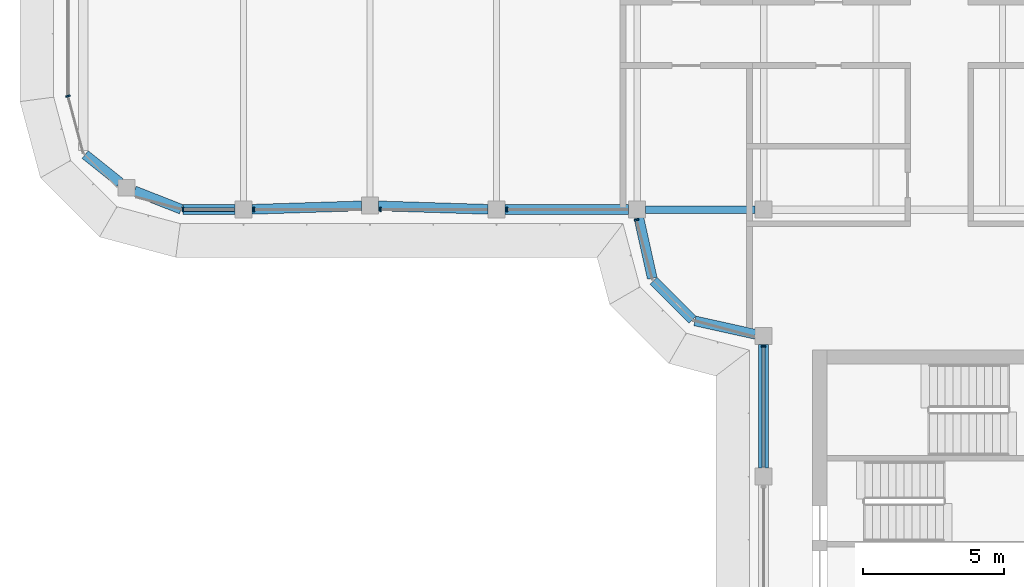
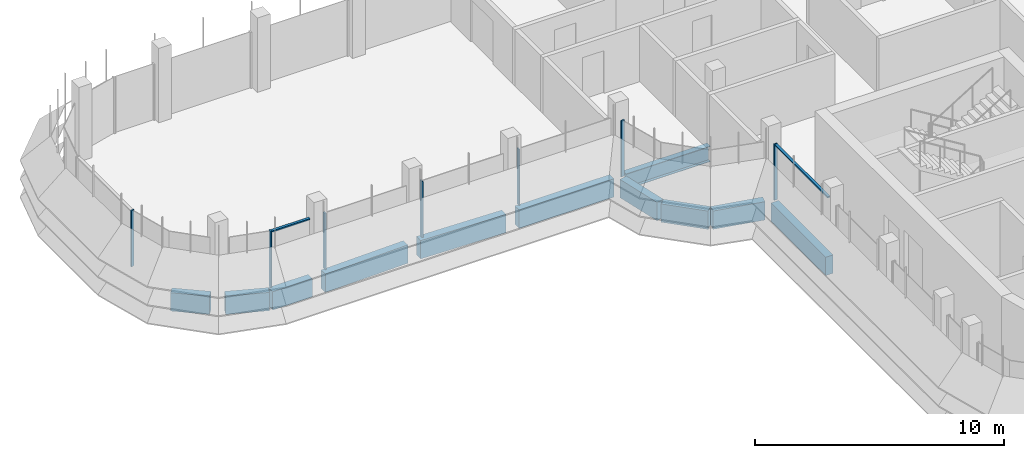
# One storey, part 3 of 20: 11 beams, 9 members, 4 elements without a shape of their own.
"""IFC4 building model written with IfcOpenShell, lengths in metres."""

from ifc_helpers import new_model, si_unit, direction, frame, origin, origin_2d, place, context, subcontext, project, spatial, polyline, rectangle, i_section, outline, extrude, source, transform, mapped, material, material_profile, profile_set, type_object, element, aggregate, save


model = new_model("IFC4")

# Units and contexts
model_context = context("Model", 3, precision=1e-05, world=origin(), true_north=direction((0.0, 1.0)))
body_context = subcontext(model_context, "Body", "Model", "MODEL_VIEW")
ifc_project = project(units=[si_unit("LENGTHUNIT", "METRE"), si_unit("AREAUNIT", "SQUARE_METRE"), si_unit("VOLUMEUNIT", "CUBIC_METRE"), si_unit("PLANEANGLEUNIT", "RADIAN"), si_unit("MASSUNIT", "GRAM", prefix="KILO")], contexts=[model_context])

# Site, building, storey
site_placement = place(None, origin())
site = spatial("IfcSite", under=ifc_project, at=site_placement, CompositionType="ELEMENT")
building_placement = place(site_placement, origin())
building = spatial("IfcBuilding", under=site, at=building_placement, Name="Zarbagh Exchange Tower", CompositionType="ELEMENT")
storey_placement = place(building_placement, frame((0.0, 0.0, 249.800048828125)))
storey = spatial("IfcBuildingStorey", under=building, at=storey_placement, Name="L61", CompositionType="ELEMENT", Elevation=249.800048828125)

# Beams
ifc_material_1 = material(Name="Steel ASTM A992 Gr 50", Category="steel")
ifc_material_profile_1 = material_profile(ifc_material_1, i_section(OverallWidth=0.2666015625, OverallDepth=0.7568359375, WebThickness=0.013916015625, FlangeThickness=0.019287109375, at=origin_2d()), Name="W30X108")
ifc_profile_set_1 = profile_set([ifc_material_profile_1], Name="Steel ASTM A992 Gr 50")
beam_type_1 = type_object("IfcBeamType", Name="Floor girder W30X108", PredefinedType="BEAM", material=ifc_profile_set_1)
beam_1_placement = place(storey_placement, frame((-10.449951171875, -6.25, -0.528564453125), z_axis=(1.0, 0.0, 0.0), x_axis=(0.0, 1.0, 0.0)))
element("IfcBeam", 1, at=beam_1_placement, inside=storey, type_object=beam_type_1, Name="Steel girder", PredefinedType="BEAM", context=body_context, shape_type="SweptSolid", body=[
    extrude(i_section(OverallWidth=0.2666015625, OverallDepth=0.7568359375, WebThickness=0.013916015625, FlangeThickness=0.019287109375, at=origin_2d()), origin(), (0.0, 0.0, 1.0), 3.89990234375),
])
ifc_material_2 = material(Name="Concrete C40/50", Category="concrete")
ifc_material_profile_2 = material_profile(ifc_material_2, rectangle(XDim=0.35009765625, YDim=0.89990234375, at=origin_2d()), Name="RC spandrel beam 350 x 900 C40/50")
ifc_profile_set_2 = profile_set([ifc_material_profile_2], Name="Concrete C40/50")
beam_type_2 = type_object("IfcBeamType", Name="RC spandrel beam 350 x 900 C40/50", PredefinedType="SPANDREL", material=ifc_profile_set_2)
beam_2_placement = place(storey_placement, frame((-6.25, -15.449951171875, -0.60009765625), z_axis=(0.0, 1.0, 0.0), x_axis=(-1.0, 0.0, 0.0)))
element("IfcBeam", 2, at=beam_2_placement, inside=storey, type_object=beam_type_2, Name="RC spandrel beam", PredefinedType="SPANDREL", context=body_context, shape_type="SweptSolid", body=[
    extrude(rectangle(XDim=0.35009765625, YDim=0.89990234375, at=origin_2d()), origin(), (0.0, 0.0, 1.0), 4.39990234375),
])
beam_3_placement = place(storey_placement, frame((-6.54296875, -10.685302734375, -0.60009765625), z_axis=(-0.976387662047, 0.216025770228, 0.0), x_axis=(-0.216025770228, -0.976387662047, 0.0)))
element("IfcBeam", 3, at=beam_3_placement, inside=storey, type_object=beam_type_2, Name="RC spandrel beam", PredefinedType="SPANDREL", context=body_context, shape_type="SweptSolid", body=[
    extrude(rectangle(XDim=0.35009765625, YDim=0.89990234375, at=origin_2d()), origin(), (0.0, 0.0, 1.0), 2.200439453125),
])
beam_4_placement = place(storey_placement, frame((-8.77734375, -10.16259765625, -0.60009765625), z_axis=(-0.707106781187, 0.707106781187, 0.0), x_axis=(-0.707106781187, -0.707106781187, 0.0)))
element("IfcBeam", 4, at=beam_4_placement, inside=storey, type_object=beam_type_2, Name="RC spandrel beam", PredefinedType="SPANDREL", context=body_context, shape_type="SweptSolid", body=[
    extrude(rectangle(XDim=0.35009765625, YDim=0.89990234375, at=origin_2d()), origin(), (0.0, 0.0, 1.0), 1.958984375),
])
beam_5_placement = place(storey_placement, frame((-10.2099609375, -8.69140625, -0.60009765625), z_axis=(-0.216025770228, 0.976387662047, 0.0), x_axis=(-0.976387662047, -0.216025770228, 0.0)))
element("IfcBeam", 5, at=beam_5_placement, inside=storey, type_object=beam_type_2, Name="RC spandrel beam", PredefinedType="SPANDREL", context=body_context, shape_type="SweptSolid", body=[
    extrude(rectangle(XDim=0.35009765625, YDim=0.89990234375, at=origin_2d()), origin(), (0.0, 0.0, 1.0), 2.200439453125),
])
beam_6_placement = place(storey_placement, frame((-11.050048828125, -6.25, -0.60009765625), z_axis=(-1.0, 0.0, 0.0), x_axis=(0.0, -1.0, 0.0)))
element("IfcBeam", 6, at=beam_6_placement, inside=storey, type_object=beam_type_2, Name="RC spandrel beam", PredefinedType="SPANDREL", context=body_context, shape_type="SweptSolid", body=[
    extrude(rectangle(XDim=0.35009765625, YDim=0.89990234375, at=origin_2d()), origin(), (0.0, 0.0, 1.0), 4.39990234375),
])
for number, where, z_axis, x_axis, name in (
    (7, (-16.0498046875, -6.24072265625, -0.60009765625), (-0.999516460907, 0.031094121249, 0.0), (-0.031094121249, -0.999516460907, 0.0), "RC spandrel beam"),
    (8, (-20.5498046875, -6.119384765625, -0.60009765625), (-0.999516460907, -0.031094121249, 0.0), (0.031094121249, -0.999516460907, 0.0), "RC spandrel beam"),
):
    element("IfcBeam", number, at=place(storey_placement, frame(where, z_axis=z_axis, x_axis=x_axis)), inside=storey, type_object=beam_type_2, Name=name, PredefinedType="SPANDREL", context=body_context, shape_type="SweptSolid", body=[
        extrude(rectangle(XDim=0.35009765625, YDim=0.89990234375, at=origin_2d()), origin(), (0.0, 0.0, 1.0), 3.90234375),
    ])
beam_7_placement = place(storey_placement, frame((-25.050048828125, -6.25, -0.60009765625), z_axis=(-1.0, 0.0, 0.0), x_axis=(0.0, -1.0, 0.0)))
element("IfcBeam", 9, at=beam_7_placement, inside=storey, type_object=beam_type_2, Name="RC spandrel beam", PredefinedType="SPANDREL", context=body_context, shape_type="SweptSolid", body=[
    extrude(rectangle(XDim=0.35009765625, YDim=0.89990234375, at=origin_2d()), origin(), (0.0, 0.0, 1.0), 1.850830078125),
])
beam_8_placement = place(storey_placement, frame((-26.965087890625, -6.23779296875, -0.60009765625), z_axis=(-0.930859366381, 0.365377667655, 0.0), x_axis=(-0.365377667655, -0.930859366381, 0.0)))
element("IfcBeam", 10, at=beam_8_placement, inside=storey, type_object=beam_type_2, Name="RC spandrel beam", PredefinedType="SPANDREL", context=body_context, shape_type="SweptSolid", body=[
    extrude(rectangle(XDim=0.35009765625, YDim=0.89990234375, at=origin_2d()), origin(), (0.0, 0.0, 1.0), 1.787353515625),
])
beam_9_placement = place(storey_placement, frame((-29.14208984375, -5.28759765625, -0.60009765625), z_axis=(-0.780584122498, 0.625050740104, 0.0), x_axis=(-0.625050740104, -0.780584122498, 0.0)))
element("IfcBeam", 11, at=beam_9_placement, inside=storey, type_object=beam_type_2, Name="RC spandrel beam", PredefinedType="SPANDREL", context=body_context, shape_type="SweptSolid", body=[
    extrude(rectangle(XDim=0.35009765625, YDim=0.89990234375, at=origin_2d()), origin(), (0.0, 0.0, 1.0), 1.590087890625),
])

# Curtain wall, member
ifc_material_3 = material(Name="Anodised aluminium frame and glazing", Category="aluminium")
curtain_wall_type = type_object("IfcCurtainWallType", Name="CWB Ribbon glazing, upper zones", PredefinedType="NOTDEFINED", material=ifc_material_3)
curtain_wall_1_placement = place(storey_placement, origin())
curtain_wall_1 = element("IfcCurtainWall", 12, at=curtain_wall_1_placement, inside=storey, type_object=curtain_wall_type, Name="CWB62 curtain wall", PredefinedType="NOTDEFINED")
ifc_material_4 = material(Name="Anodised aluminium frame", Category="aluminium")
member_type_1 = type_object("IfcMemberType", Name="MUB Mullion, anodised aluminium frame", PredefinedType="MULLION", material=ifc_material_4)
shared_shape_1 = source(origin(), body_context, "Body", "SweptSolid", [
    extrude(outline(polyline([(0.0, -0.080078125), (0.06005859375, -0.080078125), (0.06005859375, 0.080078125), (0.0, 0.080078125), (0.0, -0.080078125)])), origin(), (0.0, 0.0, 1.0), 2.75),
])
placement = place(storey_placement, origin())
member_1 = element("IfcMember", 13, at=placement, type_object=member_type_1, Name="CWB62 mullion 1.1", PredefinedType="MULLION", context=body_context, shape_type="MappedRepresentation", body=[
    mapped(shared_shape_1, transform((-31.0, -2.18408203125, 0.0), x_axis=(0.258824779902, -0.965924289636, 0.0), y_axis=(0.965924289636, 0.258824779902, 0.0), z_axis=(0.0, 0.0, 1.0))),
])
aggregate(curtain_wall_1, [member_1])

# Curtain wall, members
curtain_wall_2_placement = place(storey_placement, origin())
curtain_wall_2 = element("IfcCurtainWall", 14, at=curtain_wall_2_placement, inside=storey, type_object=curtain_wall_type, Name="CWB65 curtain wall", PredefinedType="NOTDEFINED")
member_2 = element("IfcMember", 15, at=placement, type_object=member_type_1, Name="CWB65 mullion 1.1", PredefinedType="MULLION", context=body_context, shape_type="MappedRepresentation", body=[
    mapped(shared_shape_1, transform((-26.93408203125, -6.25, 0.0), x_axis=(1.0, 0.0, 0.0), y_axis=(0.0, 1.0, 0.0), z_axis=(0.0, 0.0, 1.0))),
])
member_3 = element("IfcMember", 16, at=placement, type_object=member_type_1, Name="CWB65 mullion 2.1", PredefinedType="MULLION", context=body_context, shape_type="MappedRepresentation", body=[
    mapped(shared_shape_1, transform((-24.409912109375, -6.25, 0.0), x_axis=(1.0, 0.0, 0.0), y_axis=(0.0, 1.0, 0.0), z_axis=(0.0, 0.0, 1.0))),
])
member_4 = element("IfcMember", 17, at=placement, type_object=member_type_1, Name="CWB65 mullion 3.1", PredefinedType="MULLION", context=body_context, shape_type="MappedRepresentation", body=[
    mapped(shared_shape_1, transform((-19.909912109375, -6.25, 0.0), x_axis=(1.0, 0.0, 0.0), y_axis=(0.0, 1.0, 0.0), z_axis=(0.0, 0.0, 1.0))),
])
member_5 = element("IfcMember", 18, at=placement, type_object=member_type_1, Name="CWB65 mullion 4.1", PredefinedType="MULLION", context=body_context, shape_type="MappedRepresentation", body=[
    mapped(shared_shape_1, transform((-15.409912109375, -6.25, 0.0), x_axis=(1.0, 0.0, 0.0), y_axis=(0.0, 1.0, 0.0), z_axis=(0.0, 0.0, 1.0))),
])

# Curtain wall, member
curtain_wall_3_placement = place(storey_placement, origin())
curtain_wall_3 = element("IfcCurtainWall", 19, at=curtain_wall_3_placement, inside=storey, type_object=curtain_wall_type, Name="CWB41 curtain wall", PredefinedType="NOTDEFINED")
member_6 = element("IfcMember", 20, at=placement, type_object=member_type_1, Name="CWB41 mullion 1.1", PredefinedType="MULLION", context=body_context, shape_type="MappedRepresentation", body=[
    mapped(shared_shape_1, transform((-10.775146484375, -6.590087890625, 0.0), x_axis=(0.258824779902, -0.965924289636, 0.0), y_axis=(0.965924289636, 0.258824779902, 0.0), z_axis=(0.0, 0.0, 1.0))),
])
aggregate(curtain_wall_3, [member_6])

curtain_wall_4_placement = place(storey_placement, origin())
curtain_wall_4 = element("IfcCurtainWall", 21, at=curtain_wall_4_placement, inside=storey, type_object=curtain_wall_type, Name="CWB53 curtain wall", PredefinedType="NOTDEFINED")
member_7 = element("IfcMember", 22, at=placement, type_object=member_type_1, Name="CWB53 mullion 1.1", PredefinedType="MULLION", context=body_context, shape_type="MappedRepresentation", body=[
    mapped(shared_shape_1, transform((-6.25, -11.090087890625, 0.0), x_axis=(0.0, -1.0, 0.0), y_axis=(1.0, 0.0, 0.0), z_axis=(0.0, 0.0, 1.0))),
])

# Member
member_type_2 = type_object("IfcMemberType", Name="TRB Transom, anodised aluminium frame", PredefinedType="USERDEFINED", material=ifc_material_4)
shared_shape_2 = source(origin(), body_context, "Body", "SweptSolid", [
    extrude(outline(polyline([(-0.06005859375, -0.06005859375), (0.0, -0.06005859375), (0.0, 0.06005859375), (-0.06005859375, 0.06005859375), (-0.06005859375, -0.06005859375)])), origin(), (0.0, 0.0, 1.0), 1.7841796875),
])
member_8 = element("IfcMember", 23, at=placement, type_object=member_type_2, Name="CWB65 transom 1.1", ObjectType="TRANSOM", PredefinedType="USERDEFINED", context=body_context, shape_type="MappedRepresentation", body=[
    mapped(shared_shape_2, transform((-26.874267578125, -6.25, 2.75), x_axis=(0.0, 0.0, 1.0), y_axis=(0.0, -1.0, 0.0), z_axis=(1.0, 0.0, 0.0))),
])

aggregate(curtain_wall_2, [member_2, member_8, member_3, member_4, member_5])

shared_shape_3 = source(origin(), body_context, "Body", "SweptSolid", [
    extrude(outline(polyline([(-0.06005859375, -0.06005859375), (0.0, -0.06005859375), (0.0, 0.06005859375), (-0.06005859375, 0.06005859375), (-0.06005859375, -0.06005859375)])), origin(), (0.0, 0.0, 1.0), 4.260009765625),
])
member_9 = element("IfcMember", 24, at=placement, type_object=member_type_2, Name="CWB53 transom 1.1", ObjectType="TRANSOM", PredefinedType="USERDEFINED", context=body_context, shape_type="MappedRepresentation", body=[
    mapped(shared_shape_3, transform((-6.25, -11.150146484375, 2.75), x_axis=(0.0, 0.0, 1.0), y_axis=(-1.0, 0.0, 0.0), z_axis=(0.0, -1.0, 0.0))),
])

aggregate(curtain_wall_4, [member_7, member_9])

save(model, "model.ifc")
